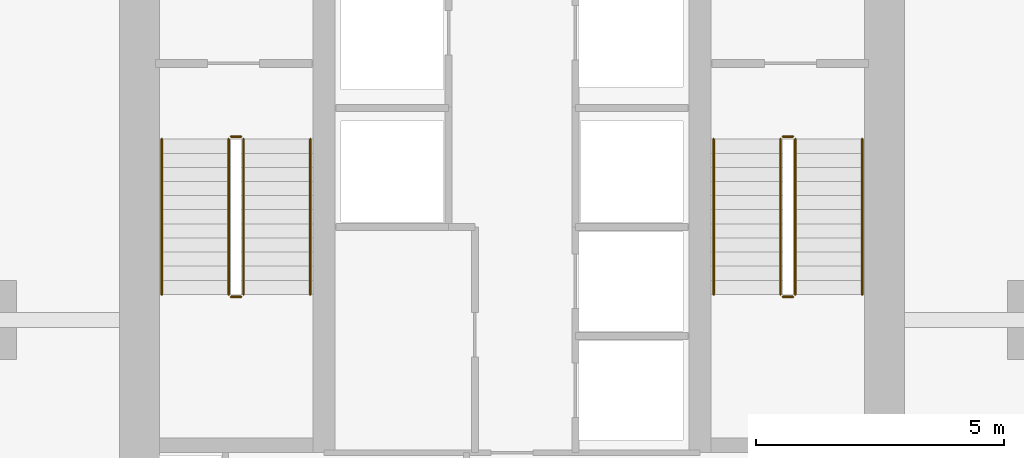
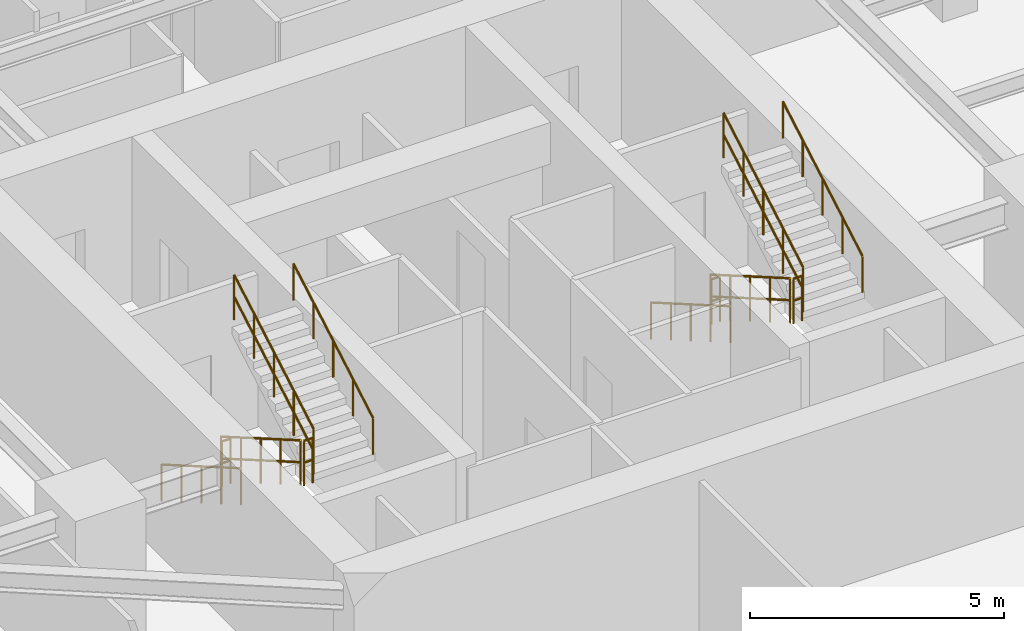
# One storey, part 23 of 24: 12 railings.
"""IFC4 building model written with IfcOpenShell, lengths in metres."""

from ifc_helpers import new_model, si_unit, direction, frame, origin, origin_2d, place, context, subcontext, project, spatial, circle, extrude, material, layer, layer_set, type_object, element, save


model = new_model("IFC4")

# Units and contexts
model_context = context("Model", 3, precision=1e-05, world=origin(), true_north=direction((0.0, 1.0)))
body_context = subcontext(model_context, "Body", "Model", "MODEL_VIEW")
ifc_project = project(units=[si_unit("LENGTHUNIT", "METRE"), si_unit("AREAUNIT", "SQUARE_METRE"), si_unit("VOLUMEUNIT", "CUBIC_METRE"), si_unit("PLANEANGLEUNIT", "RADIAN"), si_unit("MASSUNIT", "GRAM", prefix="KILO")], contexts=[model_context])

# Site, building, storey
site_placement = place(None, origin())
site = spatial("IfcSite", under=ifc_project, at=site_placement, CompositionType="ELEMENT")
building_placement = place(site_placement, origin())
building = spatial("IfcBuilding", under=site, at=building_placement, Name="Krantzveldt Concourse Tower", CompositionType="ELEMENT")
storey_placement = place(building_placement, frame((0.0, 0.0, 231.0)))
storey = spatial("IfcBuildingStorey", under=building, at=storey_placement, Name="L56", CompositionType="ELEMENT", Elevation=231.0)

# Railings
ifc_material = material(Name="Stainless steel 316L", Category="steel")
ifc_layer_1 = layer(ifc_material, 0.06005859375, Name="Stainless steel 316L", Category="steel")
ifc_layer_set_1 = layer_set([ifc_layer_1], Name="Stainless steel 316L (RL-GUARD-1120)")
railing_type_1 = type_object("IfcRailingType", Name="RL-GUARD-1120", PredefinedType="GUARDRAIL", material=ifc_layer_set_1)
railing_1_placement = place(storey_placement, frame((30.280029296875, 19.550048828125, 0.16455078125)))
element("IfcRailing", 1, at=railing_1_placement, inside=storey, type_object=railing_type_1, Name="L56 ST-1 stair guard 1", PredefinedType="GUARDRAIL", context=body_context, shape_type="SweptSolid", body=[
    extrude(circle(Radius=0.02392578125, at=origin_2d()), frame((0.0, 0.0, 1.076171875), z_axis=(0.0, -0.865959834175, 0.500113552702), x_axis=(1.0, 0.0, 0.0)), (0.0, 0.0, 1.0), 3.620361328125),
    extrude(circle(Radius=0.02392578125, at=origin_2d()), frame((0.0, 0.0, 0.550048828125), z_axis=(0.0, -0.865959834175, 0.500113552702), x_axis=(1.0, 0.0, 0.0)), (0.0, 0.0, 1.0), 3.620361328125),
    extrude(circle(Radius=0.02099609375, at=origin_2d()), origin(), (0.0, 0.0, 1.0), 1.052001953125),
    extrude(circle(Radius=0.02099609375, at=origin_2d()), frame((0.0, -0.78369140625, 0.45263671875)), (0.0, 0.0, 1.0), 1.052001953125),
    extrude(circle(Radius=0.02099609375, at=origin_2d()), frame((0.0, -1.5673828125, 0.9052734375)), (0.0, 0.0, 1.0), 1.052001953125),
    extrude(circle(Radius=0.02099609375, at=origin_2d()), frame((0.0, -2.351318359375, 1.35791015625)), (0.0, 0.0, 1.0), 1.052001953125),
    extrude(circle(Radius=0.02099609375, at=origin_2d()), frame((0.0, -3.135009765625, 1.810546875)), (0.0, 0.0, 1.0), 1.052001953125),
])
railing_2_placement = place(storey_placement, frame((30.330078125, 16.364990234375, 1.97509765625)))
element("IfcRailing", 2, at=railing_2_placement, inside=storey, type_object=railing_type_1, Name="L56 ST-1 stair guard 2", PredefinedType="GUARDRAIL", context=body_context, shape_type="SweptSolid", body=[
    extrude(circle(Radius=0.02392578125, at=origin_2d()), frame((0.0, 0.0, 1.076171875), z_axis=(1.0, 0.0, 0.0), x_axis=(0.0, 1.0, 0.0)), (0.0, 0.0, 1.0), 0.199951171875),
    extrude(circle(Radius=0.02392578125, at=origin_2d()), frame((0.0, 0.0, 0.550048828125), z_axis=(1.0, 0.0, 0.0), x_axis=(0.0, 1.0, 0.0)), (0.0, 0.0, 1.0), 0.199951171875),
    extrude(circle(Radius=0.02099609375, at=origin_2d()), origin(), (0.0, 0.0, 1.0), 1.052001953125),
    extrude(circle(Radius=0.02099609375, at=origin_2d()), frame((0.199951171875, 0.0, 0.0)), (0.0, 0.0, 1.0), 1.052001953125),
])
railing_3_placement = place(storey_placement, frame((30.580078125, 16.4150390625, 2.1396484375)))
element("IfcRailing", 3, at=railing_3_placement, inside=storey, type_object=railing_type_1, Name="L56 ST-1 stair guard 3", PredefinedType="GUARDRAIL", context=body_context, shape_type="SweptSolid", body=[
    extrude(circle(Radius=0.02392578125, at=origin_2d()), frame((0.0, 0.0, 1.076171875), z_axis=(0.0, 0.865989039225, 0.500062979975), x_axis=(-1.0, 0.0, 0.0)), (0.0, 0.0, 1.0), 3.6201171875),
    extrude(circle(Radius=0.02392578125, at=origin_2d()), frame((0.0, 0.0, 0.550048828125), z_axis=(0.0, 0.865989039225, 0.500062979975), x_axis=(-1.0, 0.0, 0.0)), (0.0, 0.0, 1.0), 3.6201171875),
    extrude(circle(Radius=0.02099609375, at=origin_2d()), origin(), (0.0, 0.0, 1.0), 1.052001953125),
    extrude(circle(Radius=0.02099609375, at=origin_2d()), frame((0.0, 0.78369140625, 0.45263671875)), (0.0, 0.0, 1.0), 1.052001953125),
    extrude(circle(Radius=0.02099609375, at=origin_2d()), frame((0.0, 1.5673828125, 0.9052734375)), (0.0, 0.0, 1.0), 1.052001953125),
    extrude(circle(Radius=0.02099609375, at=origin_2d()), frame((0.0, 2.351318359375, 1.357666015625)), (0.0, 0.0, 1.0), 1.052001953125),
    extrude(circle(Radius=0.02099609375, at=origin_2d()), frame((0.0, 3.135009765625, 1.810302734375)), (0.0, 0.0, 1.0), 1.052001953125),
])
railing_4_placement = place(storey_placement, frame((30.330078125, 19.60009765625, 0.0)))
element("IfcRailing", 4, at=railing_4_placement, inside=storey, type_object=railing_type_1, Name="L56 ST-1 stair guard 4", PredefinedType="GUARDRAIL", context=body_context, shape_type="SweptSolid", body=[
    extrude(circle(Radius=0.02392578125, at=origin_2d()), frame((0.0, 0.0, 1.076171875), z_axis=(1.0, 0.0, 0.0), x_axis=(0.0, 1.0, 0.0)), (0.0, 0.0, 1.0), 0.199951171875),
    extrude(circle(Radius=0.02392578125, at=origin_2d()), frame((0.0, 0.0, 0.550048828125), z_axis=(1.0, 0.0, 0.0), x_axis=(0.0, 1.0, 0.0)), (0.0, 0.0, 1.0), 0.199951171875),
    extrude(circle(Radius=0.02099609375, at=origin_2d()), origin(), (0.0, 0.0, 1.0), 1.052001953125),
    extrude(circle(Radius=0.02099609375, at=origin_2d()), frame((0.199951171875, 0.0, 0.0)), (0.0, 0.0, 1.0), 1.052001953125),
])
railing_5_placement = place(storey_placement, frame((41.419921875, 19.550048828125, 0.16455078125)))
element("IfcRailing", 5, at=railing_5_placement, inside=storey, type_object=railing_type_1, Name="L56 ST-2 stair guard 1", PredefinedType="GUARDRAIL", context=body_context, shape_type="SweptSolid", body=[
    extrude(circle(Radius=0.02392578125, at=origin_2d()), frame((0.0, 0.0, 1.076171875), z_axis=(0.0, -0.865959834175, 0.500113552702), x_axis=(1.0, 0.0, 0.0)), (0.0, 0.0, 1.0), 3.620361328125),
    extrude(circle(Radius=0.02392578125, at=origin_2d()), frame((0.0, 0.0, 0.550048828125), z_axis=(0.0, -0.865959834175, 0.500113552702), x_axis=(1.0, 0.0, 0.0)), (0.0, 0.0, 1.0), 3.620361328125),
    extrude(circle(Radius=0.02099609375, at=origin_2d()), origin(), (0.0, 0.0, 1.0), 1.052001953125),
    extrude(circle(Radius=0.02099609375, at=origin_2d()), frame((0.0, -0.78369140625, 0.45263671875)), (0.0, 0.0, 1.0), 1.052001953125),
    extrude(circle(Radius=0.02099609375, at=origin_2d()), frame((0.0, -1.5673828125, 0.9052734375)), (0.0, 0.0, 1.0), 1.052001953125),
    extrude(circle(Radius=0.02099609375, at=origin_2d()), frame((0.0, -2.351318359375, 1.35791015625)), (0.0, 0.0, 1.0), 1.052001953125),
    extrude(circle(Radius=0.02099609375, at=origin_2d()), frame((0.0, -3.135009765625, 1.810546875)), (0.0, 0.0, 1.0), 1.052001953125),
])
railing_6_placement = place(storey_placement, frame((41.469970703125, 16.364990234375, 1.97509765625)))
element("IfcRailing", 6, at=railing_6_placement, inside=storey, type_object=railing_type_1, Name="L56 ST-2 stair guard 2", PredefinedType="GUARDRAIL", context=body_context, shape_type="SweptSolid", body=[
    extrude(circle(Radius=0.02392578125, at=origin_2d()), frame((0.0, 0.0, 1.076171875), z_axis=(1.0, 0.0, 0.0), x_axis=(0.0, 1.0, 0.0)), (0.0, 0.0, 1.0), 0.199951171875),
    extrude(circle(Radius=0.02392578125, at=origin_2d()), frame((0.0, 0.0, 0.550048828125), z_axis=(1.0, 0.0, 0.0), x_axis=(0.0, 1.0, 0.0)), (0.0, 0.0, 1.0), 0.199951171875),
    extrude(circle(Radius=0.02099609375, at=origin_2d()), origin(), (0.0, 0.0, 1.0), 1.052001953125),
    extrude(circle(Radius=0.02099609375, at=origin_2d()), frame((0.199951171875, 0.0, 0.0)), (0.0, 0.0, 1.0), 1.052001953125),
])
railing_7_placement = place(storey_placement, frame((41.719970703125, 16.4150390625, 2.1396484375)))
element("IfcRailing", 7, at=railing_7_placement, inside=storey, type_object=railing_type_1, Name="L56 ST-2 stair guard 3", PredefinedType="GUARDRAIL", context=body_context, shape_type="SweptSolid", body=[
    extrude(circle(Radius=0.02392578125, at=origin_2d()), frame((0.0, 0.0, 1.076171875), z_axis=(0.0, 0.865989039225, 0.500062979975), x_axis=(-1.0, 0.0, 0.0)), (0.0, 0.0, 1.0), 3.6201171875),
    extrude(circle(Radius=0.02392578125, at=origin_2d()), frame((0.0, 0.0, 0.550048828125), z_axis=(0.0, 0.865989039225, 0.500062979975), x_axis=(-1.0, 0.0, 0.0)), (0.0, 0.0, 1.0), 3.6201171875),
    extrude(circle(Radius=0.02099609375, at=origin_2d()), origin(), (0.0, 0.0, 1.0), 1.052001953125),
    extrude(circle(Radius=0.02099609375, at=origin_2d()), frame((0.0, 0.78369140625, 0.45263671875)), (0.0, 0.0, 1.0), 1.052001953125),
    extrude(circle(Radius=0.02099609375, at=origin_2d()), frame((0.0, 1.5673828125, 0.9052734375)), (0.0, 0.0, 1.0), 1.052001953125),
    extrude(circle(Radius=0.02099609375, at=origin_2d()), frame((0.0, 2.351318359375, 1.357666015625)), (0.0, 0.0, 1.0), 1.052001953125),
    extrude(circle(Radius=0.02099609375, at=origin_2d()), frame((0.0, 3.135009765625, 1.810302734375)), (0.0, 0.0, 1.0), 1.052001953125),
])
railing_8_placement = place(storey_placement, frame((41.469970703125, 19.60009765625, 0.0)))
element("IfcRailing", 8, at=railing_8_placement, inside=storey, type_object=railing_type_1, Name="L56 ST-2 stair guard 4", PredefinedType="GUARDRAIL", context=body_context, shape_type="SweptSolid", body=[
    extrude(circle(Radius=0.02392578125, at=origin_2d()), frame((0.0, 0.0, 1.076171875), z_axis=(1.0, 0.0, 0.0), x_axis=(0.0, 1.0, 0.0)), (0.0, 0.0, 1.0), 0.199951171875),
    extrude(circle(Radius=0.02392578125, at=origin_2d()), frame((0.0, 0.0, 0.550048828125), z_axis=(1.0, 0.0, 0.0), x_axis=(0.0, 1.0, 0.0)), (0.0, 0.0, 1.0), 0.199951171875),
    extrude(circle(Radius=0.02099609375, at=origin_2d()), origin(), (0.0, 0.0, 1.0), 1.052001953125),
    extrude(circle(Radius=0.02099609375, at=origin_2d()), frame((0.199951171875, 0.0, 0.0)), (0.0, 0.0, 1.0), 1.052001953125),
])
ifc_layer_2 = layer(ifc_material, 0.050048828125, Name="Stainless steel 316L", Category="steel")
ifc_layer_set_2 = layer_set([ifc_layer_2], Name="Stainless steel 316L (RL-HANDRAIL-920)")
railing_type_2 = type_object("IfcRailingType", Name="RL-HANDRAIL-920", PredefinedType="HANDRAIL", material=ifc_layer_set_2)
railing_9_placement = place(storey_placement, frame((28.929931640625, 19.550048828125, 0.16455078125)))
element("IfcRailing", 9, at=railing_9_placement, inside=storey, type_object=railing_type_2, Name="L56 ST-1 stair handrail 1", PredefinedType="HANDRAIL", context=body_context, shape_type="SweptSolid", body=[
    extrude(circle(Radius=0.02392578125, at=origin_2d()), frame((0.0, 0.0, 0.8759765625), z_axis=(0.0, -0.865959834175, 0.500113552702), x_axis=(1.0, 0.0, 0.0)), (0.0, 0.0, 1.0), 3.620361328125),
    extrude(circle(Radius=0.02099609375, at=origin_2d()), origin(), (0.0, 0.0, 1.0), 0.851806640625),
    extrude(circle(Radius=0.02099609375, at=origin_2d()), frame((0.0, -0.78369140625, 0.45263671875)), (0.0, 0.0, 1.0), 0.851806640625),
    extrude(circle(Radius=0.02099609375, at=origin_2d()), frame((0.0, -1.5673828125, 0.9052734375)), (0.0, 0.0, 1.0), 0.851806640625),
    extrude(circle(Radius=0.02099609375, at=origin_2d()), frame((0.0, -2.351318359375, 1.35791015625)), (0.0, 0.0, 1.0), 0.851806640625),
    extrude(circle(Radius=0.02099609375, at=origin_2d()), frame((0.0, -3.135009765625, 1.810546875)), (0.0, 0.0, 1.0), 0.851806640625),
])
railing_10_placement = place(storey_placement, frame((31.929931640625, 16.4150390625, 2.1396484375)))
element("IfcRailing", 10, at=railing_10_placement, inside=storey, type_object=railing_type_2, Name="L56 ST-1 stair handrail 2", PredefinedType="HANDRAIL", context=body_context, shape_type="SweptSolid", body=[
    extrude(circle(Radius=0.02392578125, at=origin_2d()), frame((0.0, 0.0, 0.8759765625), z_axis=(0.0, 0.865989039225, 0.500062979975), x_axis=(-1.0, 0.0, 0.0)), (0.0, 0.0, 1.0), 3.6201171875),
    extrude(circle(Radius=0.02099609375, at=origin_2d()), origin(), (0.0, 0.0, 1.0), 0.851806640625),
    extrude(circle(Radius=0.02099609375, at=origin_2d()), frame((0.0, 0.78369140625, 0.45263671875)), (0.0, 0.0, 1.0), 0.851806640625),
    extrude(circle(Radius=0.02099609375, at=origin_2d()), frame((0.0, 1.5673828125, 0.9052734375)), (0.0, 0.0, 1.0), 0.851806640625),
    extrude(circle(Radius=0.02099609375, at=origin_2d()), frame((0.0, 2.351318359375, 1.357666015625)), (0.0, 0.0, 1.0), 0.851806640625),
    extrude(circle(Radius=0.02099609375, at=origin_2d()), frame((0.0, 3.135009765625, 1.810302734375)), (0.0, 0.0, 1.0), 0.851806640625),
])
railing_11_placement = place(storey_placement, frame((40.070068359375, 19.550048828125, 0.16455078125)))
element("IfcRailing", 11, at=railing_11_placement, inside=storey, type_object=railing_type_2, Name="L56 ST-2 stair handrail 1", PredefinedType="HANDRAIL", context=body_context, shape_type="SweptSolid", body=[
    extrude(circle(Radius=0.02392578125, at=origin_2d()), frame((0.0, 0.0, 0.8759765625), z_axis=(0.0, -0.865959834175, 0.500113552702), x_axis=(1.0, 0.0, 0.0)), (0.0, 0.0, 1.0), 3.620361328125),
    extrude(circle(Radius=0.02099609375, at=origin_2d()), origin(), (0.0, 0.0, 1.0), 0.851806640625),
    extrude(circle(Radius=0.02099609375, at=origin_2d()), frame((0.0, -0.78369140625, 0.45263671875)), (0.0, 0.0, 1.0), 0.851806640625),
    extrude(circle(Radius=0.02099609375, at=origin_2d()), frame((0.0, -1.5673828125, 0.9052734375)), (0.0, 0.0, 1.0), 0.851806640625),
    extrude(circle(Radius=0.02099609375, at=origin_2d()), frame((0.0, -2.351318359375, 1.35791015625)), (0.0, 0.0, 1.0), 0.851806640625),
    extrude(circle(Radius=0.02099609375, at=origin_2d()), frame((0.0, -3.135009765625, 1.810546875)), (0.0, 0.0, 1.0), 0.851806640625),
])
railing_12_placement = place(storey_placement, frame((43.070068359375, 16.4150390625, 2.1396484375)))
element("IfcRailing", 12, at=railing_12_placement, inside=storey, type_object=railing_type_2, Name="L56 ST-2 stair handrail 2", PredefinedType="HANDRAIL", context=body_context, shape_type="SweptSolid", body=[
    extrude(circle(Radius=0.02392578125, at=origin_2d()), frame((0.0, 0.0, 0.8759765625), z_axis=(0.0, 0.865989039225, 0.500062979975), x_axis=(-1.0, 0.0, 0.0)), (0.0, 0.0, 1.0), 3.6201171875),
    extrude(circle(Radius=0.02099609375, at=origin_2d()), origin(), (0.0, 0.0, 1.0), 0.851806640625),
    extrude(circle(Radius=0.02099609375, at=origin_2d()), frame((0.0, 0.78369140625, 0.45263671875)), (0.0, 0.0, 1.0), 0.851806640625),
    extrude(circle(Radius=0.02099609375, at=origin_2d()), frame((0.0, 1.5673828125, 0.9052734375)), (0.0, 0.0, 1.0), 0.851806640625),
    extrude(circle(Radius=0.02099609375, at=origin_2d()), frame((0.0, 2.351318359375, 1.357666015625)), (0.0, 0.0, 1.0), 0.851806640625),
    extrude(circle(Radius=0.02099609375, at=origin_2d()), frame((0.0, 3.135009765625, 1.810302734375)), (0.0, 0.0, 1.0), 0.851806640625),
])

save(model, "model.ifc")
